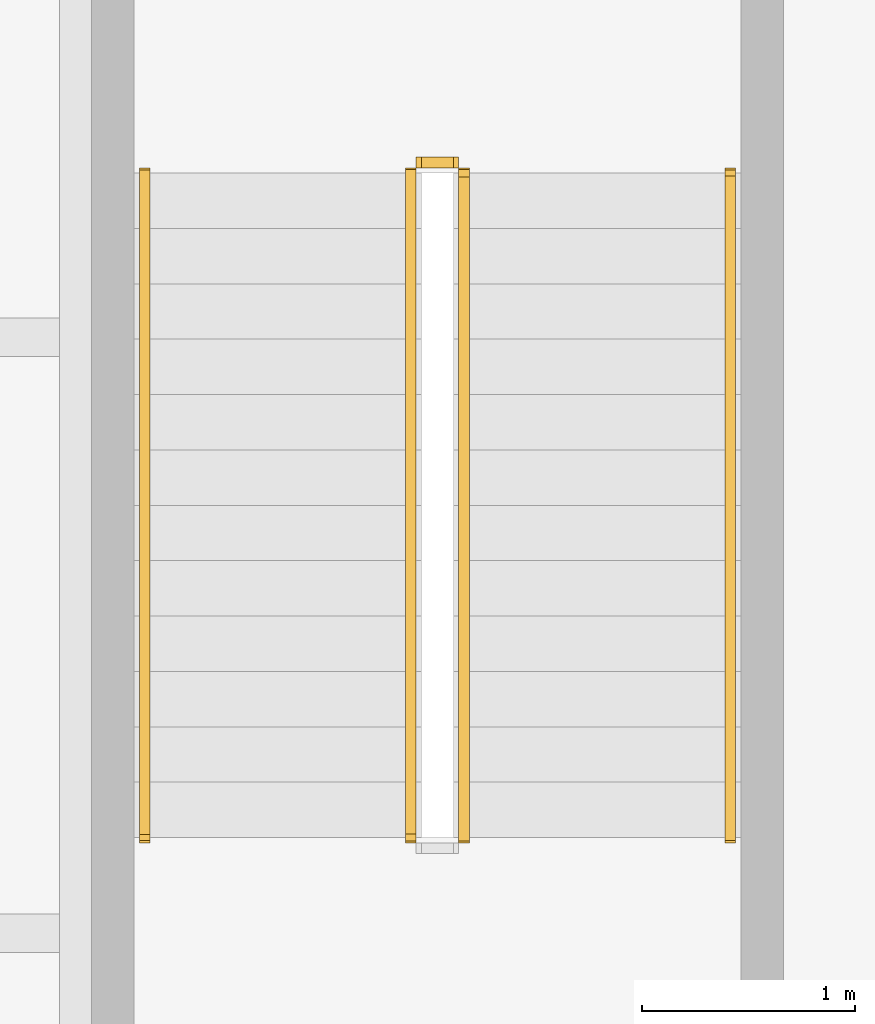
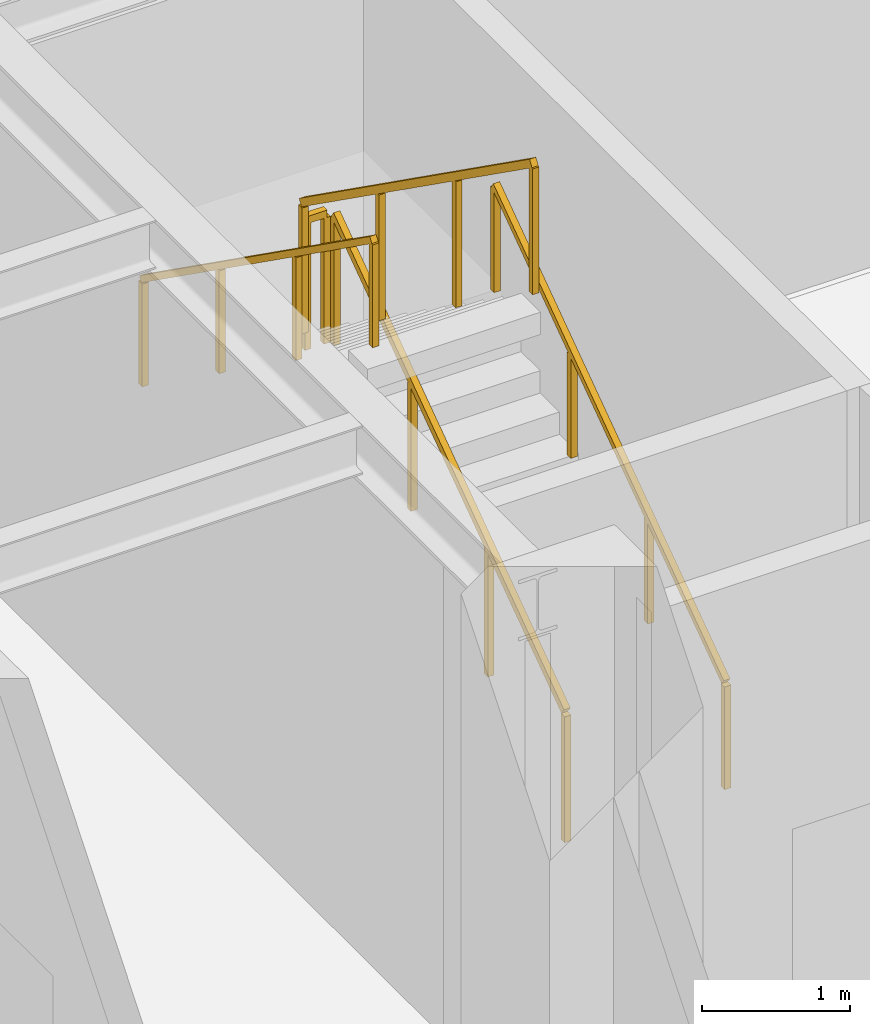
# One storey, part 30 of 32: 5 railings.
"""IFC4 building model written with IfcOpenShell, lengths in metres."""

from ifc_helpers import new_model, si_unit, direction, frame, origin, origin_2d, place, context, subcontext, project, spatial, rectangle, extrude, material, type_object, element, save


model = new_model("IFC4")

# Units and contexts
model_context = context("Model", 3, precision=1e-05, world=origin(), true_north=direction((0.0, 1.0)))
body_context = subcontext(model_context, "Body", "Model", "MODEL_VIEW")
ifc_project = project(units=[si_unit("LENGTHUNIT", "METRE"), si_unit("AREAUNIT", "SQUARE_METRE"), si_unit("VOLUMEUNIT", "CUBIC_METRE"), si_unit("PLANEANGLEUNIT", "RADIAN"), si_unit("MASSUNIT", "GRAM", prefix="KILO")], contexts=[model_context])

# Site, building, storey
site_placement = place(None, origin())
site = spatial("IfcSite", under=ifc_project, at=site_placement, CompositionType="ELEMENT")
building_placement = place(site_placement, origin())
building = spatial("IfcBuilding", under=site, at=building_placement, Name="Khepri Terraces", CompositionType="ELEMENT")
storey_placement = place(building_placement, frame((0.0, 0.0, 12.0)))
storey = spatial("IfcBuildingStorey", under=building, at=storey_placement, Name="L02", CompositionType="ELEMENT", Elevation=12.0)

# Railings
ifc_material = material(Name="Stainless steel 316", Category="steel")
railing_type_1 = type_object("IfcRailingType", Name="RL-POD-GUARD", PredefinedType="GUARDRAIL", material=ifc_material)
railing_1_placement = place(storey_placement, frame((-23.449951171875, 20.050048828125, 0.1845703125)))
element("IfcRailing", 1, at=railing_1_placement, inside=storey, type_object=railing_type_1, Name="L02 PS-2 stair guard 1", PredefinedType="GUARDRAIL", context=body_context, shape_type="SweptSolid", body=[
    extrude(rectangle(XDim=0.050048828125, YDim=0.06005859375, at=origin_2d()), frame((0.0, 0.0, 1.070068359375), z_axis=(0.0, 0.815355575968, 0.57896052088), x_axis=(-1.0, 0.0, 0.0)), (0.0, 0.0, 1.0), 3.826416015625),
    extrude(rectangle(XDim=0.050048828125, YDim=0.050048828125, at=origin_2d()), origin(), (0.0, 0.0, 1.0), 1.0400390625),
    extrude(rectangle(XDim=0.050048828125, YDim=0.050048828125, at=origin_2d()), frame((0.0, 1.0400390625, 0.738525390625)), (0.0, 0.0, 1.0), 1.0400390625),
    extrude(rectangle(XDim=0.050048828125, YDim=0.050048828125, at=origin_2d()), frame((0.0, 2.079833984375, 1.476806640625)), (0.0, 0.0, 1.0), 1.0400390625),
    extrude(rectangle(XDim=0.050048828125, YDim=0.050048828125, at=origin_2d()), frame((0.0, 3.119873046875, 2.21533203125)), (0.0, 0.0, 1.0), 1.0400390625),
])
railing_2_placement = place(storey_placement, frame((-23.5, 23.219970703125, 2.39990234375)))
element("IfcRailing", 2, at=railing_2_placement, inside=storey, type_object=railing_type_1, Name="L02 PS-2 stair guard 2", PredefinedType="GUARDRAIL", context=body_context, shape_type="SweptSolid", body=[
    extrude(rectangle(XDim=0.050048828125, YDim=0.06005859375, at=origin_2d()), frame((0.0, 0.0, 1.070068359375), z_axis=(-1.0, 0.0, 0.0), x_axis=(0.0, -1.0, 0.0)), (0.0, 0.0, 1.0), 0.14990234375),
    extrude(rectangle(XDim=0.050048828125, YDim=0.050048828125, at=origin_2d()), origin(), (0.0, 0.0, 1.0), 1.0400390625),
    extrude(rectangle(XDim=0.050048828125, YDim=0.050048828125, at=origin_2d()), frame((-0.14990234375, 0.0, 0.0)), (0.0, 0.0, 1.0), 1.0400390625),
])
railing_3_placement = place(storey_placement, frame((-23.699951171875, 23.169921875, 2.584716796875)))
element("IfcRailing", 3, at=railing_3_placement, inside=storey, type_object=railing_type_1, Name="L02 PS-2 stair guard 3", PredefinedType="GUARDRAIL", context=body_context, shape_type="SweptSolid", body=[
    extrude(rectangle(XDim=0.050048828125, YDim=0.06005859375, at=origin_2d()), frame((0.0, 0.0, 1.070068359375), z_axis=(0.0, -0.815355575968, 0.57896052088), x_axis=(1.0, 0.0, 0.0)), (0.0, 0.0, 1.0), 3.826416015625),
    extrude(rectangle(XDim=0.050048828125, YDim=0.050048828125, at=origin_2d()), origin(), (0.0, 0.0, 1.0), 1.0400390625),
    extrude(rectangle(XDim=0.050048828125, YDim=0.050048828125, at=origin_2d()), frame((0.0, -1.0400390625, 0.738525390625)), (0.0, 0.0, 1.0), 1.0400390625),
    extrude(rectangle(XDim=0.050048828125, YDim=0.050048828125, at=origin_2d()), frame((0.0, -2.079833984375, 1.476806640625)), (0.0, 0.0, 1.0), 1.0400390625),
    extrude(rectangle(XDim=0.050048828125, YDim=0.050048828125, at=origin_2d()), frame((0.0, -3.119873046875, 2.21533203125)), (0.0, 0.0, 1.0), 1.0400390625),
])
railing_type_2 = type_object("IfcRailingType", Name="RL-POD-HANDRAIL", PredefinedType="HANDRAIL", material=ifc_material)
railing_4_placement = place(storey_placement, frame((-22.199951171875, 20.050048828125, 0.1845703125)))
element("IfcRailing", 4, at=railing_4_placement, inside=storey, type_object=railing_type_2, Name="L02 PS-2 stair handrail 1", PredefinedType="HANDRAIL", context=body_context, shape_type="SweptSolid", body=[
    extrude(rectangle(XDim=0.050048828125, YDim=0.050048828125, at=origin_2d()), frame((0.0, 0.0, 0.875), z_axis=(0.0, 0.815355575968, 0.57896052088), x_axis=(-1.0, 0.0, 0.0)), (0.0, 0.0, 1.0), 3.826416015625),
    extrude(rectangle(XDim=0.050048828125, YDim=0.050048828125, at=origin_2d()), origin(), (0.0, 0.0, 1.0), 0.849853515625),
    extrude(rectangle(XDim=0.050048828125, YDim=0.050048828125, at=origin_2d()), frame((0.0, 1.0400390625, 0.738525390625)), (0.0, 0.0, 1.0), 0.849853515625),
    extrude(rectangle(XDim=0.050048828125, YDim=0.050048828125, at=origin_2d()), frame((0.0, 2.079833984375, 1.476806640625)), (0.0, 0.0, 1.0), 0.849853515625),
    extrude(rectangle(XDim=0.050048828125, YDim=0.050048828125, at=origin_2d()), frame((0.0, 3.119873046875, 2.21533203125)), (0.0, 0.0, 1.0), 0.849853515625),
])
railing_5_placement = place(storey_placement, frame((-24.949951171875, 23.169921875, 2.584716796875)))
element("IfcRailing", 5, at=railing_5_placement, inside=storey, type_object=railing_type_2, Name="L02 PS-2 stair handrail 2", PredefinedType="HANDRAIL", context=body_context, shape_type="SweptSolid", body=[
    extrude(rectangle(XDim=0.050048828125, YDim=0.050048828125, at=origin_2d()), frame((0.0, 0.0, 0.875), z_axis=(0.0, -0.815355575968, 0.57896052088), x_axis=(1.0, 0.0, 0.0)), (0.0, 0.0, 1.0), 3.826416015625),
    extrude(rectangle(XDim=0.050048828125, YDim=0.050048828125, at=origin_2d()), origin(), (0.0, 0.0, 1.0), 0.849853515625),
    extrude(rectangle(XDim=0.050048828125, YDim=0.050048828125, at=origin_2d()), frame((0.0, -1.0400390625, 0.738525390625)), (0.0, 0.0, 1.0), 0.849853515625),
    extrude(rectangle(XDim=0.050048828125, YDim=0.050048828125, at=origin_2d()), frame((0.0, -2.079833984375, 1.476806640625)), (0.0, 0.0, 1.0), 0.849853515625),
    extrude(rectangle(XDim=0.050048828125, YDim=0.050048828125, at=origin_2d()), frame((0.0, -3.119873046875, 2.21533203125)), (0.0, 0.0, 1.0), 0.849853515625),
])

save(model, "model.ifc")
